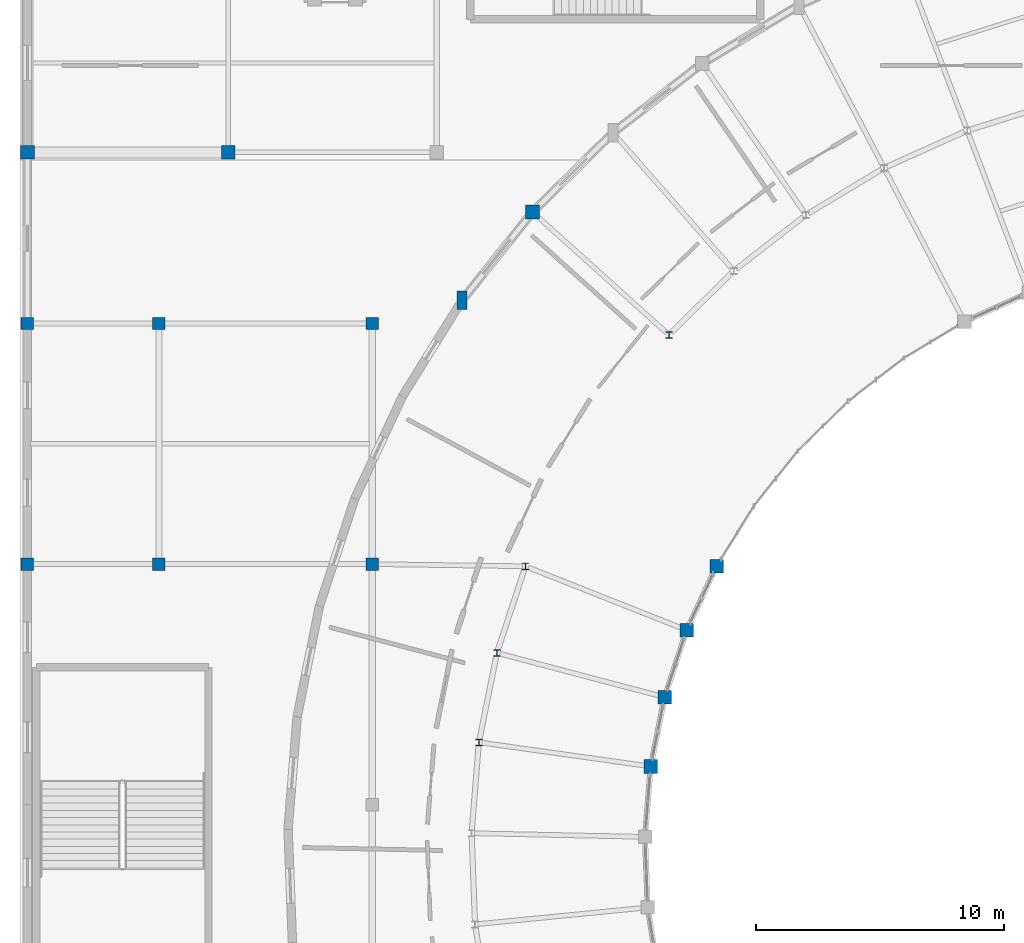
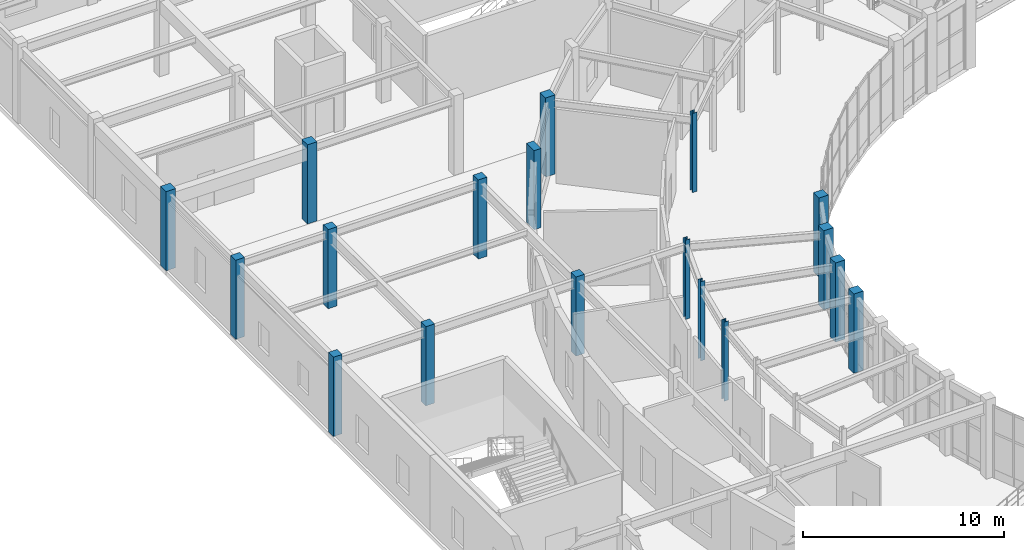
# One storey, part 13 of 144: 18 columns.
"""IFC4 building model written with IfcOpenShell, lengths in metres."""

from ifc_helpers import new_model, si_unit, direction, frame, origin, origin_2d, place, context, subcontext, project, spatial, rectangle, i_section, extrude, material, material_profile, profile_set, type_object, element, save


model = new_model("IFC4")

# Units and contexts
model_context = context("Model", 3, precision=1e-05, world=origin(), true_north=direction((0.0, 1.0)))
body_context = subcontext(model_context, "Body", "Model", "MODEL_VIEW")
ifc_project = project(units=[si_unit("LENGTHUNIT", "METRE"), si_unit("AREAUNIT", "SQUARE_METRE"), si_unit("VOLUMEUNIT", "CUBIC_METRE"), si_unit("PLANEANGLEUNIT", "RADIAN"), si_unit("MASSUNIT", "GRAM", prefix="KILO")], contexts=[model_context])

# Site, building, storey
site_placement = place(None, origin())
site = spatial("IfcSite", under=ifc_project, at=site_placement, CompositionType="ELEMENT")
building_placement = place(site_placement, origin())
building = spatial("IfcBuilding", under=site, at=building_placement, Name="Cinderbank Siding Concert Hall", CompositionType="ELEMENT")
storey_placement = place(building_placement, frame((0.0, 0.0, 5.39990234375)))
storey = spatial("IfcBuildingStorey", under=building, at=storey_placement, Name="L02", CompositionType="ELEMENT", Elevation=5.39990234375)

# Columns
ifc_material_1 = material(Name="Reinforced concrete AS 3600 N50 (50 MPa)", Category="concrete")
ifc_material_profile_1 = material_profile(ifc_material_1, rectangle(XDim=0.5, YDim=0.5, at=origin_2d()), Name="RC-COL-500x500", Category="LoadBearing")
ifc_profile_set_1 = profile_set([ifc_material_profile_1], Name="Reinforced concrete AS 3600 N50 (50 MPa)")
column_type_1 = type_object("IfcColumnType", Name="C-RC500 RC-COL-500x500", PredefinedType="COLUMN", material=ifc_profile_set_1)
for number, where, z_axis, x_axis, name in (
    (1, (7.10009765625, 79.5, 0.0), (0.0, 0.0, 1.0), (1.0, 0.0, 0.0), "L02 Column COL-WL-1-5"),
    (2, (7.10009765625, 89.199951171875, 0.0), (0.0, 0.0, 1.0), (1.0, 0.0, 0.0), "L02 Column COL-WL-1-6"),
    (3, (12.39990234375, 79.5, 0.0), (0.0, 0.0, 1.0), (1.0, 0.0, 0.0), "L02 Column COL-WL-2-5"),
    (4, (12.39990234375, 89.199951171875, 0.0), (0.0, 0.0, 1.0), (1.0, 0.0, 0.0), "L02 Column COL-WL-2-6"),
    (5, (21.0, 79.5, 0.0), (0.0, 0.0, 1.0), (1.0, 0.0, 0.0), "L02 Column COL-WL-3-5"),
    (6, (21.0, 89.199951171875, 0.0), (0.0, 0.0, 1.0), (1.0, 0.0, 0.0), "L02 Column COL-WL-3-6"),
):
    element("IfcColumn", number, at=place(storey_placement, frame(where, z_axis=z_axis, x_axis=x_axis)), inside=storey, type_object=column_type_1, Name=name, PredefinedType="COLUMN", context=body_context, shape_type="SweptSolid", body=[
        extrude(rectangle(XDim=0.5, YDim=0.5, at=origin_2d()), origin(), (0.0, 0.0, 1.0), 4.800048828125),
    ])
ifc_material_profile_2 = material_profile(ifc_material_1, rectangle(XDim=0.550048828125, YDim=0.550048828125, at=origin_2d()), Name="RC-COL-550x550", Category="LoadBearing")
ifc_profile_set_2 = profile_set([ifc_material_profile_2], Name="Reinforced concrete AS 3600 N50 (50 MPa)")
column_type_2 = type_object("IfcColumnType", Name="C-RC550 RC-COL-550x550", PredefinedType="COLUMN", material=ifc_profile_set_2)
for number, where, z_axis, x_axis, name in (
    (7, (27.462890625, 93.695068359375, 0.0), (0.0, 0.0, 1.0), (1.0, 0.0, 0.0), "L02 Column COL-WOUT-06"),
    (8, (34.887939453125, 79.4150390625, 0.0), (0.0, 0.0, 1.0), (1.0, 0.0, 0.0), "L02 Column COL-WIN-08"),
    (9, (33.68505859375, 76.8349609375, 0.0), (0.0, 0.0, 1.0), (1.0, 0.0, 0.0), "L02 Column COL-WIN-09"),
    (10, (32.7958984375, 74.131103515625, 0.0), (0.0, 0.0, 1.0), (1.0, 0.0, 0.0), "L02 Column COL-WIN-10"),
    (11, (32.23388671875, 71.340087890625, 0.0), (0.0, 0.0, 1.0), (1.0, 0.0, 0.0), "L02 Column COL-WIN-11"),
    (12, (7.10009765625, 96.10009765625, 0.0), (0.0, 0.0, 1.0), (1.0, 0.0, 0.0), "L02 Column COL-NW-1-1"),
    (13, (15.199951171875, 96.10009765625, 0.0), (0.0, 0.0, 1.0), (1.0, 0.0, 0.0), "L02 Column COL-NW-2-1"),
):
    element("IfcColumn", number, at=place(storey_placement, frame(where, z_axis=z_axis, x_axis=x_axis)), inside=storey, type_object=column_type_2, Name=name, PredefinedType="COLUMN", context=body_context, shape_type="SweptSolid", body=[
        extrude(rectangle(XDim=0.550048828125, YDim=0.550048828125, at=origin_2d()), origin(), (0.0, 0.0, 1.0), 4.800048828125),
    ])
ifc_material_2 = material(Name="Structural steel AS/NZS 3679.1 Grade 350 (340 MPa)", Category="steel")
ifc_material_profile_3 = material_profile(ifc_material_2, i_section(OverallWidth=0.256103515625, OverallDepth=0.260009765625, WebThickness=0.010498046875, FlangeThickness=0.017333984375, at=origin_2d()), Name="250UC89.5", Category="LoadBearing")
ifc_profile_set_3 = profile_set([ifc_material_profile_3], Name="Structural steel AS/NZS 3679.1 Grade 350 (340 MPa)")
column_type_3 = type_object("IfcColumnType", Name="C-UC250H 250UC89.5", PredefinedType="COLUMN", material=ifc_profile_set_3)
for number, where, z_axis, x_axis, name in (
    (14, (32.9619140625, 88.742919921875, 0.0), (0.0, 0.0, 1.0), (1.0, 0.0, 0.0), "L02 Column COL-WMID-06"),
    (15, (27.177001953125, 79.412109375, 0.0), (0.0, 0.0, 1.0), (1.0, 0.0, 0.0), "L02 Column COL-WMID-09"),
    (16, (26.029052734375, 75.9189453125, 0.0), (0.0, 0.0, 1.0), (1.0, 0.0, 0.0), "L02 Column COL-WMID-10"),
    (17, (25.302001953125, 72.31396484375, 0.0), (0.0, 0.0, 1.0), (1.0, 0.0, 0.0), "L02 Column COL-WMID-11"),
):
    element("IfcColumn", number, at=place(storey_placement, frame(where, z_axis=z_axis, x_axis=x_axis)), inside=storey, type_object=column_type_3, Name=name, PredefinedType="COLUMN", context=body_context, shape_type="SweptSolid", body=[
        extrude(i_section(OverallWidth=0.256103515625, OverallDepth=0.260009765625, WebThickness=0.010498046875, FlangeThickness=0.017333984375, at=origin_2d()), origin(), (0.0, 0.0, 1.0), 4.800048828125),
    ])
ifc_material_profile_4 = material_profile(ifc_material_1, rectangle(XDim=0.39990234375, YDim=0.75, at=origin_2d()), Name="RC-PIER-400x750", Category="LoadBearing")
ifc_profile_set_4 = profile_set([ifc_material_profile_4], Name="Reinforced concrete AS 3600 N50 (50 MPa)")
column_type_4 = type_object("IfcColumnType", Name="PL-RC750 RC-PIER-400x750", PredefinedType="PILASTER", material=ifc_profile_set_4)
column_placement = place(storey_placement, frame((24.6220703125, 90.135009765625, 0.0), z_axis=(0.0, 0.0, 1.0), x_axis=(1.0, 0.0, 0.0)))
element("IfcColumn", 18, at=column_placement, inside=storey, type_object=column_type_4, Name="L02 Column COL-WOUT-07", PredefinedType="PILASTER", context=body_context, shape_type="SweptSolid", body=[
    extrude(rectangle(XDim=0.39990234375, YDim=0.75, at=origin_2d()), origin(), (0.0, 0.0, 1.0), 4.800048828125),
])

save(model, "model.ifc")
